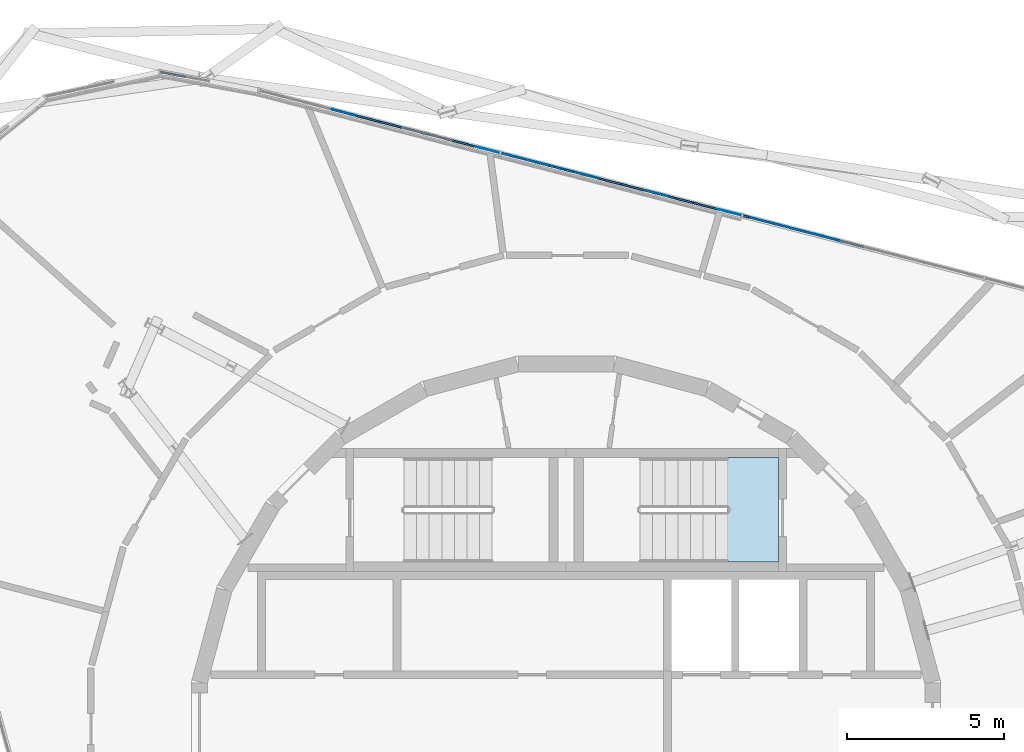
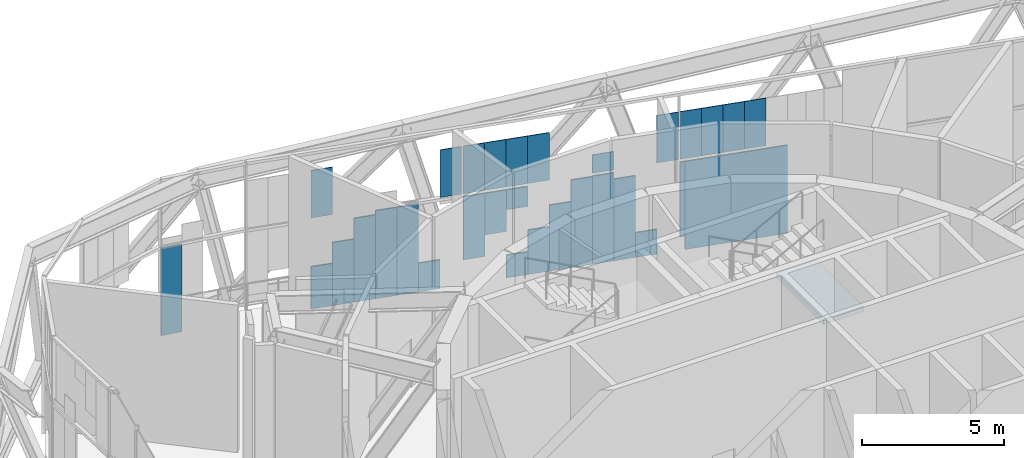
# One storey, part 13 of 23: 31 plates, 1 slab, 3 elements without a shape of their own.
"""IFC4 building model written with IfcOpenShell, lengths in metres."""

import ifcopenshell
import ifcopenshell.guid

model = None  # the IFC model being written
_history = None  # IfcOwnerHistory: only IFC2X3 demands one
_inside = {}  # id of a spatial element -> (the spatial element, [elements in it])
_under = {}  # id of a project, library or spatial element -> (it, [spatial elements below it])
_declared = {}  # id of a project -> (the project, [libraries it declares])
_typed = {}  # id of a type object -> (the type object, [elements of that type])
_made_of = {}  # id of a material, layer set ... -> (it, [elements and type objects made of it])


def new_model(schema):
    """Start an empty IFC model of exactly this schema.

    Asked for "IFC4X3", IfcOpenShell would pick the latest addendum, in which some entities
    have other attributes; the version numbers below select the first issue.
    IFC2X3 requires an IfcOwnerHistory on every rooted entity: one is made here for all.
    """
    global model, _history
    if schema == "IFC4X3":
        model = ifcopenshell.file(schema_version=(4, 3, 0, 0))
    else:
        model = ifcopenshell.file(schema=schema)
    _inside.clear()
    _under.clear()
    _declared.clear()
    _typed.clear()
    _made_of.clear()
    _history = None
    if model.schema == "IFC2X3":
        org = make("IfcOrganization", Name="unknown")
        user = make(
            "IfcPersonAndOrganization",
            ThePerson=make("IfcPerson", FamilyName="unknown"),
            TheOrganization=org,
        )
        app = make(
            "IfcApplication",
            ApplicationDeveloper=org,
            Version="unknown",
            ApplicationFullName="unknown",
            ApplicationIdentifier="unknown",
        )
        _history = make(
            "IfcOwnerHistory",
            OwningUser=user,
            OwningApplication=app,
            ChangeAction="ADDED",
            CreationDate=0,
        )
    return model


def make(cls, **values):
    """One entity of the class cls with the attributes given. An attribute that is None is left unset."""
    return model.create_entity(
        cls, **{name: value for name, value in values.items() if value is not None}
    )


def rooted(cls, **values):
    """An entity with a GlobalId (a new one), such as an element, a storey or a relation."""
    return make(cls, GlobalId=ifcopenshell.guid.new(), OwnerHistory=_history, **values)


def si_unit(unit_type, name, prefix=None):
    """IfcSIUnit, for example si_unit("LENGTHUNIT", "METRE", prefix="MILLI")."""
    return make("IfcSIUnit", UnitType=unit_type, Prefix=prefix, Name=name)


def assignment(units):
    """IfcUnitAssignment: the units of a project."""
    return None if units is None else make("IfcUnitAssignment", Units=units)


def point(xyz):
    """IfcCartesianPoint."""
    return None if xyz is None else make("IfcCartesianPoint", Coordinates=xyz)


def direction(xyz):
    """IfcDirection."""
    return None if xyz is None else make("IfcDirection", DirectionRatios=xyz)


def frame(location, z_axis=None, x_axis=None):
    """IfcAxis2Placement3D, a coordinate frame: its origin and axes. An axis left out is left unset."""
    return make(
        "IfcAxis2Placement3D",
        Location=point(location),
        Axis=direction(z_axis),
        RefDirection=direction(x_axis),
    )


def frame_2d(location, x_axis=None):
    """IfcAxis2Placement2D, a coordinate frame in the plane: its origin and x axis."""
    return make(
        "IfcAxis2Placement2D", Location=point(location), RefDirection=direction(x_axis)
    )


def origin():
    """The frame at (0, 0, 0) with its axes left unset."""
    return frame((0.0, 0.0, 0.0))


def origin_2d():
    """The frame at (0, 0) in the plane with its x axis left unset."""
    return frame_2d((0.0, 0.0))


def place(relative_to, where):
    """IfcLocalPlacement: puts the frame where relative to a parent placement (None: the world)."""
    return make(
        "IfcLocalPlacement", PlacementRelTo=relative_to, RelativePlacement=where
    )


def context(
    kind, dimensions, precision=None, world=None, true_north=None, identifier=None
):
    """IfcGeometricRepresentationContext, for example the 3D "Model" context."""
    return make(
        "IfcGeometricRepresentationContext",
        ContextIdentifier=identifier,
        ContextType=kind,
        CoordinateSpaceDimension=dimensions,
        Precision=precision,
        WorldCoordinateSystem=world,
        TrueNorth=true_north,
    )


def subcontext(parent, identifier, kind, view, scale=None):
    """IfcGeometricRepresentationSubContext, for example "Body" below "Model"."""
    return make(
        "IfcGeometricRepresentationSubContext",
        ContextIdentifier=identifier,
        ContextType=kind,
        ParentContext=parent,
        TargetScale=scale,
        TargetView=view,
    )


def project(units=None, contexts=None):
    """IfcProject with its units and contexts."""
    return rooted(
        "IfcProject",
        Name="project",
        RepresentationContexts=contexts,
        UnitsInContext=assignment(units),
    )


def spatial(cls, under=None, at=None, **own):
    """A site, building, storey or space (cls), placed at a placement, below another one or the project."""
    s = rooted(cls, ObjectPlacement=at, **own)
    if under is not None:
        _under.setdefault(under.id(), (under, []))[1].append(s)
    return s


def polyline(points):
    """IfcPolyline through the points."""
    return make("IfcPolyline", Points=[point(p) for p in points])


def profile(cls, at=None, kind="AREA", **sizes):
    """A parametric profile (cls). Its sizes go by their IFC names, for example OverallWidth=200.0."""
    return make(cls, ProfileType=kind, Position=at, **sizes)


def rectangle(**sizes):
    """IfcRectangleProfileDef."""
    return profile("IfcRectangleProfileDef", **sizes)


def outline(outer, holes=None, kind="AREA"):
    """IfcArbitraryClosedProfileDef: a profile drawn as a closed curve; with holes, ...WithVoids."""
    if holes is None:
        return make("IfcArbitraryClosedProfileDef", ProfileType=kind, OuterCurve=outer)
    return make(
        "IfcArbitraryProfileDefWithVoids",
        ProfileType=kind,
        OuterCurve=outer,
        InnerCurves=holes,
    )


def extrude(swept, where, along, depth):
    """IfcExtrudedAreaSolid: the profile swept, set in the frame where, extruded along a direction by depth."""
    return make(
        "IfcExtrudedAreaSolid",
        SweptArea=swept,
        Position=where,
        ExtrudedDirection=direction(along),
        Depth=depth,
    )


def shape(context_of_items, identifier, shape_type, items):
    """IfcShapeRepresentation: the items that make up one representation, for example the "Body"."""
    return make(
        "IfcShapeRepresentation",
        ContextOfItems=context_of_items,
        RepresentationIdentifier=identifier,
        RepresentationType=shape_type,
        Items=items,
    )


def material(Name=None, Category=None):
    """IfcMaterial."""
    return make("IfcMaterial", Name=Name, Category=Category)


def layer(
    of_material, thickness, ventilated=None, Name=None, Category=None, Priority=None
):
    """IfcMaterialLayer: one layer of a wall or slab, of a material (None: an air gap)."""
    return make(
        "IfcMaterialLayer",
        Material=of_material,
        LayerThickness=thickness,
        IsVentilated=ventilated,
        Name=Name,
        Category=Category,
        Priority=Priority,
    )


def layer_set(layers, Name=None):
    """IfcMaterialLayerSet."""
    return make("IfcMaterialLayerSet", MaterialLayers=layers, LayerSetName=Name)


def made_of(thing, what):
    """Note that an element or type object is made of a material, layer set ...; save() writes the relation."""
    if what is not None:
        _made_of.setdefault(what.id(), (what, []))[1].append(thing)
    return thing


def type_object(cls, material=None, **own):
    """A type object (cls), such as IfcWallType, which elements share."""
    return made_of(rooted(cls, **own), material)


def element(
    cls,
    number,
    at=None,
    inside=None,
    cuts=None,
    type_object=None,
    material=None,
    context=None,
    identifier="Body",
    shape_type=None,
    held_by="IfcProductDefinitionShape",
    body=None,
    shapes=None,
    **own,
):
    """One element of the class cls, such as IfcWall. Its Tag is "e" and its number.

    at: its placement. inside: the storey or other place that contains it. cuts: it is an
    opening in that element (IfcRelVoidsElement). A single representation is given by context,
    identifier, shape_type and body (its items); several are given by shapes. held_by: the class
    of the entity that holds the representations. save() writes the other relations.
    """
    e = rooted(cls, Tag="e%d" % number, ObjectPlacement=at, **own)
    if body is not None:
        shapes = [shape(context, identifier, shape_type, body)]
    if shapes is not None:
        e.Representation = make(held_by, Representations=shapes)
    if inside is not None:
        _inside.setdefault(inside.id(), (inside, []))[1].append(e)
    if cuts is not None:
        rooted(
            "IfcRelVoidsElement", RelatingBuildingElement=cuts, RelatedOpeningElement=e
        )
    if type_object is not None:
        _typed.setdefault(type_object.id(), (type_object, []))[1].append(e)
    return made_of(e, material)


def aggregate(whole, parts):
    """IfcRelAggregates: a whole, such as a stair, and the parts it consists of."""
    return rooted("IfcRelAggregates", RelatingObject=whole, RelatedObjects=parts)


def save(model, path):
    """Write the relations noted so far, then the file.

    IfcRelAggregates (storeys below a building ...), IfcRelContainedInSpatialStructure (elements
    in a storey), IfcRelDefinesByType, IfcRelAssociatesMaterial and IfcRelDeclares: one each for
    every whole, place, type object, material and project.
    """
    for whole, parts in _under.values():
        aggregate(whole, parts)
    for where, things in _inside.values():
        rooted(
            "IfcRelContainedInSpatialStructure",
            RelatedElements=things,
            RelatingStructure=where,
        )
    for kind, things in _typed.values():
        rooted("IfcRelDefinesByType", RelatedObjects=things, RelatingType=kind)
    for what, things in _made_of.values():
        rooted("IfcRelAssociatesMaterial", RelatedObjects=things, RelatingMaterial=what)
    for by, libraries in _declared.values():
        rooted("IfcRelDeclares", RelatingContext=by, RelatedDefinitions=libraries)
    model.write(path)


model = new_model("IFC4")

# Units and contexts
model_context = context("Model", 3, precision=1e-05, world=origin(), true_north=direction((0.0, 1.0)))
body_context = subcontext(model_context, "Body", "Model", "MODEL_VIEW")
ifc_project = project(units=[si_unit("LENGTHUNIT", "METRE"), si_unit("AREAUNIT", "SQUARE_METRE"), si_unit("VOLUMEUNIT", "CUBIC_METRE"), si_unit("PLANEANGLEUNIT", "RADIAN"), si_unit("MASSUNIT", "GRAM", prefix="KILO")], contexts=[model_context])

# Site, building, storey
site_placement = place(None, origin())
site = spatial("IfcSite", under=ifc_project, at=site_placement, CompositionType="ELEMENT")
building_placement = place(site_placement, origin())
building = spatial("IfcBuilding", under=site, at=building_placement, Name="Spindle Arch Residences", CompositionType="ELEMENT")
storey_placement = place(building_placement, frame((0.0, 0.0, 326.199951171875)))
storey = spatial("IfcBuildingStorey", under=building, at=storey_placement, Name="L84", CompositionType="ELEMENT", Elevation=326.199951171875)

# Stair, slab
ifc_material_1 = material(Name="Concrete C50/60", Category="concrete")
stair_type = type_object("IfcStairType", Name="Exit stair 32 risers", PredefinedType="HALF_TURN_STAIR", material=ifc_material_1)
stair_placement = place(storey_placement, origin())
stair = element("IfcStair", 1, at=stair_placement, inside=storey, type_object=stair_type, Name="L84 Exit stair ST1", PredefinedType="HALF_TURN_STAIR")
ifc_material_2 = material(Name="Concrete C50/60", Category="concrete")
ifc_layer_1 = layer(ifc_material_2, 0.219970703125)
ifc_layer_set_1 = layer_set([ifc_layer_1], Name="Exit stair landing 220")
slab_type = type_object("IfcSlabType", Name="Exit stair landing 220", PredefinedType="LANDING", material=ifc_layer_set_1)
slab_placement = place(storey_placement, frame((0.0, 0.0, 3.179931640625)))
slab = element("IfcSlab", 2, at=slab_placement, type_object=slab_type, Name="ST1 landing 2", PredefinedType="LANDING", context=body_context, shape_type="SweptSolid", body=[
    extrude(outline(polyline([(6.75, 8.669921875), (5.1298828125, 8.669921875), (5.1298828125, 5.35009765625), (6.75, 5.35009765625), (6.75, 8.669921875)])), origin(), (0.0, 0.0, 1.0), 0.22021484375),
])
aggregate(stair, [slab])

# Curtain wall, plates
ifc_material_3 = material(Name="Aluminium bronze unitised frame with tinted glass", Category="aluminium")
ifc_layer_2 = layer(ifc_material_3, 0.159912109375)
ifc_layer_set_2 = layer_set([ifc_layer_2], Name="CW-E double-height winter garden wall")
curtain_wall_type = type_object("IfcCurtainWallType", Name="CW-E double-height winter garden wall", PredefinedType="NOTDEFINED", material=ifc_layer_set_2)
curtain_wall_1_placement = place(storey_placement, origin())
curtain_wall_1 = element("IfcCurtainWall", 3, at=curtain_wall_1_placement, inside=storey, type_object=curtain_wall_type, Name="CW-E L84 run 2", PredefinedType="NOTDEFINED")
ifc_material_4 = material(Name="Tinted laminated glass 28 mm", Category="glass")
ifc_layer_3 = layer(ifc_material_4, 0.028076171875)
ifc_layer_set_3 = layer_set([ifc_layer_3], Name="Tinted glass panel 28 mm")
plate_type_1 = type_object("IfcPlateType", Name="Tinted glass panel 28 mm", PredefinedType="CURTAIN_PANEL", material=ifc_layer_set_3)
plate_1_placement = place(storey_placement, frame((8.295654296875, 15.66650390625, 3.460205078125), z_axis=(0.0, 0.0, 1.0), x_axis=(-0.968147640378, 0.250380004054, 0.0)))
plate_1 = element("IfcPlate", 4, at=plate_1_placement, type_object=plate_type_1, Name="CW-E panel 05Bb.2", PredefinedType="CURTAIN_PANEL", context=body_context, shape_type="SweptSolid", body=[
    extrude(rectangle(XDim=0.78759765625, YDim=0.028076171875, at=origin_2d()), origin(), (0.0, 0.0, 1.0), 2.0458984375),
])
plate_2_placement = place(storey_placement, frame((7.533203125, 15.86376953125, 3.460205078125), z_axis=(0.0, 0.0, 1.0), x_axis=(-0.968147640378, 0.250380004054, 0.0)))
plate_2 = element("IfcPlate", 5, at=plate_2_placement, type_object=plate_type_1, Name="CW-E panel 05Bb.3", PredefinedType="CURTAIN_PANEL", context=body_context, shape_type="SweptSolid", body=[
    extrude(rectangle(XDim=0.78759765625, YDim=0.028076171875, at=origin_2d()), origin(), (0.0, 0.0, 1.0), 2.0458984375),
])
plate_3_placement = place(storey_placement, frame((6.770751953125, 16.06103515625, 3.460205078125), z_axis=(0.0, 0.0, 1.0), x_axis=(-0.968147640378, 0.250380004054, 0.0)))
plate_3 = element("IfcPlate", 6, at=plate_3_placement, type_object=plate_type_1, Name="CW-E panel 05Bb.4", PredefinedType="CURTAIN_PANEL", context=body_context, shape_type="SweptSolid", body=[
    extrude(rectangle(XDim=0.78759765625, YDim=0.028076171875, at=origin_2d()), origin(), (0.0, 0.0, 1.0), 2.0458984375),
])
plate_4_placement = place(storey_placement, frame((6.00830078125, 16.258056640625, 3.460205078125), z_axis=(0.0, 0.0, 1.0), x_axis=(-0.968147640378, 0.250380004054, 0.0)))
plate_4 = element("IfcPlate", 7, at=plate_4_placement, type_object=plate_type_1, Name="CW-E panel 05Bb.5", PredefinedType="CURTAIN_PANEL", context=body_context, shape_type="SweptSolid", body=[
    extrude(rectangle(XDim=0.78759765625, YDim=0.028076171875, at=origin_2d()), origin(), (0.0, 0.0, 1.0), 2.0458984375),
])
plate_5_placement = place(storey_placement, frame((5.187744140625, 16.47021484375, 3.460205078125), z_axis=(0.0, 0.0, 1.0), x_axis=(-0.968147640378, 0.250380004054, 0.0)))
plate_5 = element("IfcPlate", 8, at=plate_5_placement, type_object=plate_type_1, Name="CW-E panel 06Ab.1", PredefinedType="CURTAIN_PANEL", context=body_context, shape_type="SweptSolid", body=[
    extrude(rectangle(XDim=0.78759765625, YDim=0.028076171875, at=origin_2d()), origin(), (0.0, 0.0, 1.0), 2.0458984375),
])
plate_6_placement = place(storey_placement, frame((2.900634765625, 17.061767578125, 3.4599609375), z_axis=(0.0, 0.0, 1.0), x_axis=(-0.968147640378, 0.250380004054, 0.0)))
plate_6 = element("IfcPlate", 9, at=plate_6_placement, type_object=plate_type_1, Name="CW-E panel 06Ab.2", PredefinedType="CURTAIN_PANEL", context=body_context, shape_type="SweptSolid", body=[
    extrude(rectangle(XDim=0.78759765625, YDim=0.028076171875, at=origin_2d()), origin(), (0.0, 0.0, 1.0), 0.791015625),
])
plate_7_placement = place(storey_placement, frame((0.61328125, 17.6533203125, 3.460205078125), z_axis=(0.0, 0.0, 1.0), x_axis=(-0.968147640378, 0.250380004054, 0.0)))
plate_7 = element("IfcPlate", 10, at=plate_7_placement, type_object=plate_type_1, Name="CW-E panel 06Bb.1", PredefinedType="CURTAIN_PANEL", context=body_context, shape_type="SweptSolid", body=[
    extrude(rectangle(XDim=0.78759765625, YDim=0.028076171875, at=origin_2d()), origin(), (0.0, 0.0, 1.0), 2.0458984375),
])
plate_8_placement = place(storey_placement, frame((-0.149169921875, 17.8505859375, 3.460205078125), z_axis=(0.0, 0.0, 1.0), x_axis=(-0.968147640378, 0.250380004054, 0.0)))
plate_8 = element("IfcPlate", 11, at=plate_8_placement, type_object=plate_type_1, Name="CW-E panel 06Bb.2", PredefinedType="CURTAIN_PANEL", context=body_context, shape_type="SweptSolid", body=[
    extrude(rectangle(XDim=0.78759765625, YDim=0.028076171875, at=origin_2d()), origin(), (0.0, 0.0, 1.0), 2.0458984375),
])
plate_9_placement = place(storey_placement, frame((-0.91162109375, 18.047607421875, 3.460205078125), z_axis=(0.0, 0.0, 1.0), x_axis=(-0.968147640378, 0.250380004054, 0.0)))
plate_9 = element("IfcPlate", 12, at=plate_9_placement, type_object=plate_type_1, Name="CW-E panel 06Bb.3", PredefinedType="CURTAIN_PANEL", context=body_context, shape_type="SweptSolid", body=[
    extrude(rectangle(XDim=0.78759765625, YDim=0.028076171875, at=origin_2d()), origin(), (0.0, 0.0, 1.0), 2.0458984375),
])
plate_10_placement = place(storey_placement, frame((-1.674072265625, 18.244873046875, 3.460205078125), z_axis=(0.0, 0.0, 1.0), x_axis=(-0.968147640378, 0.250380004054, 0.0)))
plate_10 = element("IfcPlate", 13, at=plate_10_placement, type_object=plate_type_1, Name="CW-E panel 06Bb.4", PredefinedType="CURTAIN_PANEL", context=body_context, shape_type="SweptSolid", body=[
    extrude(rectangle(XDim=0.78759765625, YDim=0.028076171875, at=origin_2d()), origin(), (0.0, 0.0, 1.0), 2.0458984375),
])
plate_11_placement = place(storey_placement, frame((-2.494384765625, 18.45703125, 3.460205078125), z_axis=(0.0, 0.0, 1.0), x_axis=(-0.968147640378, 0.250380004054, 0.0)))
plate_11 = element("IfcPlate", 14, at=plate_11_placement, type_object=plate_type_1, Name="CW-E panel 07Ab.1", PredefinedType="CURTAIN_PANEL", context=body_context, shape_type="SweptSolid", body=[
    extrude(rectangle(XDim=0.78759765625, YDim=0.028076171875, at=origin_2d()), origin(), (0.0, 0.0, 1.0), 2.0458984375),
])
plate_12_placement = place(storey_placement, frame((-7.069091796875, 19.64013671875, 3.460205078125), z_axis=(0.0, 0.0, 1.0), x_axis=(-0.968147640378, 0.250380004054, 0.0)))
plate_12 = element("IfcPlate", 15, at=plate_12_placement, type_object=plate_type_1, Name="CW-E panel 07Bb.1", PredefinedType="CURTAIN_PANEL", context=body_context, shape_type="SweptSolid", body=[
    extrude(rectangle(XDim=0.78759765625, YDim=0.028076171875, at=origin_2d()), origin(), (0.0, 0.0, 1.0), 2.0458984375),
])
ifc_material_5 = material(Name="Tinted double glazing over aluminium faced non-combustible spandrel zone (K0)", Category="aluminium")
ifc_layer_4 = layer(ifc_material_5, 0.06005859375)
ifc_layer_set_4 = layer_set([ifc_layer_4], Name="Unitised glass panel with E 60 spandrel zone")
plate_type_2 = type_object("IfcPlateType", Name="Unitised glass panel with E 60 spandrel zone", PredefinedType="CURTAIN_PANEL", material=ifc_layer_set_4)
plate_13_placement = place(storey_placement, frame((7.623291015625, 15.840576171875, -0.449951171875), z_axis=(0.0, 0.0, 1.0), x_axis=(-0.968147640378, 0.250380004054, 0.0)))
plate_13 = element("IfcPlate", 16, at=plate_13_placement, type_object=plate_type_2, Name="CW-E panel 05Ba.1", PredefinedType="CURTAIN_PANEL", context=body_context, shape_type="SweptSolid", body=[
    extrude(rectangle(XDim=3.75146484375, YDim=0.06005859375, at=origin_2d()), origin(), (0.0, 0.0, 1.0), 3.7900390625),
])
plate_14_placement = place(storey_placement, frame((5.71728515625, 16.33349609375, 0.13037109375), z_axis=(0.0, 0.0, 1.0), x_axis=(-0.968147640378, 0.250380004054, 0.0)))
plate_14 = element("IfcPlate", 17, at=plate_14_placement, type_object=plate_type_2, Name="CW-E panel 05Ba.2", PredefinedType="CURTAIN_PANEL", context=body_context, shape_type="SweptSolid", body=[
    extrude(rectangle(XDim=0.18603515625, YDim=0.06005859375, at=origin_2d()), origin(), (0.0, 0.0, 1.0), 3.209716796875),
])
plate_15_placement = place(storey_placement, frame((4.425537109375, 16.66748046875, -0.44970703125), z_axis=(0.0, 0.0, 1.0), x_axis=(-0.968147640378, 0.250380004054, 0.0)))
plate_15 = element("IfcPlate", 18, at=plate_15_placement, type_object=plate_type_2, Name="CW-E panel 06Aa.2", PredefinedType="CURTAIN_PANEL", context=body_context, shape_type="SweptSolid", body=[
    extrude(rectangle(XDim=0.78759765625, YDim=0.06005859375, at=origin_2d()), origin(), (0.0, 0.0, 1.0), 1.061767578125),
])
plate_16_placement = place(storey_placement, frame((3.6630859375, 16.86474609375, -0.4501953125), z_axis=(0.0, 0.0, 1.0), x_axis=(-0.968147640378, 0.250380004054, 0.0)))
plate_16 = element("IfcPlate", 19, at=plate_16_placement, type_object=plate_type_2, Name="CW-E panel 06Aa.3", PredefinedType="CURTAIN_PANEL", context=body_context, shape_type="SweptSolid", body=[
    extrude(rectangle(XDim=0.78759765625, YDim=0.06005859375, at=origin_2d()), origin(), (0.0, 0.0, 1.0), 3.517822265625),
])
plate_17_placement = place(storey_placement, frame((2.900634765625, 17.061767578125, -0.449951171875), z_axis=(0.0, 0.0, 1.0), x_axis=(-0.968147640378, 0.250380004054, 0.0)))
plate_17 = element("IfcPlate", 20, at=plate_17_placement, type_object=plate_type_2, Name="CW-E panel 06Aa.4", PredefinedType="CURTAIN_PANEL", context=body_context, shape_type="SweptSolid", body=[
    extrude(rectangle(XDim=0.78759765625, YDim=0.06005859375, at=origin_2d()), origin(), (0.0, 0.0, 1.0), 3.7900390625),
])
plate_18_placement = place(storey_placement, frame((2.13818359375, 17.259033203125, -0.449951171875), z_axis=(0.0, 0.0, 1.0), x_axis=(-0.968147640378, 0.250380004054, 0.0)))
plate_18 = element("IfcPlate", 21, at=plate_18_placement, type_object=plate_type_2, Name="CW-E panel 06Aa.5", PredefinedType="CURTAIN_PANEL", context=body_context, shape_type="SweptSolid", body=[
    extrude(rectangle(XDim=0.78759765625, YDim=0.06005859375, at=origin_2d()), origin(), (0.0, 0.0, 1.0), 3.7705078125),
])
plate_19_placement = place(storey_placement, frame((1.375732421875, 17.456298828125, -0.449951171875), z_axis=(0.0, 0.0, 1.0), x_axis=(-0.968147640378, 0.250380004054, 0.0)))
plate_19 = element("IfcPlate", 22, at=plate_19_placement, type_object=plate_type_2, Name="CW-E panel 06Ba.1", PredefinedType="CURTAIN_PANEL", context=body_context, shape_type="SweptSolid", body=[
    extrude(rectangle(XDim=0.78759765625, YDim=0.06005859375, at=origin_2d()), origin(), (0.0, 0.0, 1.0), 2.83984375),
])
plate_20_placement = place(storey_placement, frame((0.61328125, 17.6533203125, -0.4501953125), z_axis=(0.0, 0.0, 1.0), x_axis=(-0.968147640378, 0.250380004054, 0.0)))
plate_20 = element("IfcPlate", 23, at=plate_20_placement, type_object=plate_type_2, Name="CW-E panel 06Ba.2", PredefinedType="CURTAIN_PANEL", context=body_context, shape_type="SweptSolid", body=[
    extrude(rectangle(XDim=0.78759765625, YDim=0.06005859375, at=origin_2d()), origin(), (0.0, 0.0, 1.0), 1.909423828125),
])
plate_21_placement = place(storey_placement, frame((-0.149169921875, 17.8505859375, -0.44970703125), z_axis=(0.0, 0.0, 1.0), x_axis=(-0.968147640378, 0.250380004054, 0.0)))
plate_21 = element("IfcPlate", 24, at=plate_21_placement, type_object=plate_type_2, Name="CW-E panel 06Ba.3", PredefinedType="CURTAIN_PANEL", context=body_context, shape_type="SweptSolid", body=[
    extrude(rectangle(XDim=0.78759765625, YDim=0.06005859375, at=origin_2d()), origin(), (0.0, 0.0, 1.0), 0.978759765625),
])
plate_22_placement = place(storey_placement, frame((-0.149169921875, 17.8505859375, 2.481201171875), z_axis=(0.0, 0.0, 1.0), x_axis=(-0.968147640378, 0.250380004054, 0.0)))
plate_22 = element("IfcPlate", 25, at=plate_22_placement, type_object=plate_type_2, Name="CW-E panel 06Ba.4", PredefinedType="CURTAIN_PANEL", context=body_context, shape_type="SweptSolid", body=[
    extrude(rectangle(XDim=0.78759765625, YDim=0.06005859375, at=origin_2d()), origin(), (0.0, 0.0, 1.0), 0.85888671875),
])
plate_23_placement = place(storey_placement, frame((-0.91162109375, 18.047607421875, 1.550537109375), z_axis=(0.0, 0.0, 1.0), x_axis=(-0.968147640378, 0.250380004054, 0.0)))
plate_23 = element("IfcPlate", 26, at=plate_23_placement, type_object=plate_type_2, Name="CW-E panel 06Ba.5", PredefinedType="CURTAIN_PANEL", context=body_context, shape_type="SweptSolid", body=[
    extrude(rectangle(XDim=0.78759765625, YDim=0.06005859375, at=origin_2d()), origin(), (0.0, 0.0, 1.0), 1.78955078125),
])
plate_24_placement = place(storey_placement, frame((-1.674072265625, 18.244873046875, 0.619873046875), z_axis=(0.0, 0.0, 1.0), x_axis=(-0.968147640378, 0.250380004054, 0.0)))
plate_24 = element("IfcPlate", 27, at=plate_24_placement, type_object=plate_type_2, Name="CW-E panel 06Ba.6", PredefinedType="CURTAIN_PANEL", context=body_context, shape_type="SweptSolid", body=[
    extrude(rectangle(XDim=0.78759765625, YDim=0.06005859375, at=origin_2d()), origin(), (0.0, 0.0, 1.0), 2.72021484375),
])
plate_25_placement = place(storey_placement, frame((-3.2568359375, 18.654296875, -0.449951171875), z_axis=(0.0, 0.0, 1.0), x_axis=(-0.968147640378, 0.250380004054, 0.0)))
plate_25 = element("IfcPlate", 28, at=plate_25_placement, type_object=plate_type_2, Name="CW-E panel 07Aa.2", PredefinedType="CURTAIN_PANEL", context=body_context, shape_type="SweptSolid", body=[
    extrude(rectangle(XDim=0.78759765625, YDim=0.06005859375, at=origin_2d()), origin(), (0.0, 0.0, 1.0), 1.23681640625),
])
plate_26_placement = place(storey_placement, frame((-4.019287109375, 18.8515625, -0.449951171875), z_axis=(0.0, 0.0, 1.0), x_axis=(-0.968147640378, 0.250380004054, 0.0)))
plate_26 = element("IfcPlate", 29, at=plate_26_placement, type_object=plate_type_2, Name="CW-E panel 07Aa.3", PredefinedType="CURTAIN_PANEL", context=body_context, shape_type="SweptSolid", body=[
    extrude(rectangle(XDim=0.78759765625, YDim=0.06005859375, at=origin_2d()), origin(), (0.0, 0.0, 1.0), 3.7900390625),
])
plate_27_placement = place(storey_placement, frame((-4.78173828125, 19.048583984375, -0.449951171875), z_axis=(0.0, 0.0, 1.0), x_axis=(-0.968147640378, 0.250380004054, 0.0)))
plate_27 = element("IfcPlate", 30, at=plate_27_placement, type_object=plate_type_2, Name="CW-E panel 07Aa.4", PredefinedType="CURTAIN_PANEL", context=body_context, shape_type="SweptSolid", body=[
    extrude(rectangle(XDim=0.78759765625, YDim=0.06005859375, at=origin_2d()), origin(), (0.0, 0.0, 1.0), 3.7900390625),
])
plate_28_placement = place(storey_placement, frame((-5.544189453125, 19.245849609375, -0.4501953125), z_axis=(0.0, 0.0, 1.0), x_axis=(-0.968147640378, 0.250380004054, 0.0)))
plate_28 = element("IfcPlate", 31, at=plate_28_placement, type_object=plate_type_2, Name="CW-E panel 07Aa.5", PredefinedType="CURTAIN_PANEL", context=body_context, shape_type="SweptSolid", body=[
    extrude(rectangle(XDim=0.78759765625, YDim=0.06005859375, at=origin_2d()), origin(), (0.0, 0.0, 1.0), 3.609130859375),
])
plate_29_placement = place(storey_placement, frame((-6.306640625, 19.44287109375, -0.44970703125), z_axis=(0.0, 0.0, 1.0), x_axis=(-0.968147640378, 0.250380004054, 0.0)))
plate_29 = element("IfcPlate", 32, at=plate_29_placement, type_object=plate_type_2, Name="CW-E panel 07Ba.1", PredefinedType="CURTAIN_PANEL", context=body_context, shape_type="SweptSolid", body=[
    extrude(rectangle(XDim=0.78759765625, YDim=0.06005859375, at=origin_2d()), origin(), (0.0, 0.0, 1.0), 2.712646484375),
])
plate_30_placement = place(storey_placement, frame((-7.069091796875, 19.64013671875, -0.449951171875), z_axis=(0.0, 0.0, 1.0), x_axis=(-0.968147640378, 0.250380004054, 0.0)))
plate_30 = element("IfcPlate", 33, at=plate_30_placement, type_object=plate_type_2, Name="CW-E panel 07Ba.2", PredefinedType="CURTAIN_PANEL", context=body_context, shape_type="SweptSolid", body=[
    extrude(rectangle(XDim=0.78759765625, YDim=0.06005859375, at=origin_2d()), origin(), (0.0, 0.0, 1.0), 1.81640625),
])
aggregate(curtain_wall_1, [plate_13, plate_14, plate_1, plate_2, plate_3, plate_4, plate_15, plate_16, plate_17, plate_18, plate_5, plate_6, plate_19, plate_20, plate_21, plate_22, plate_23, plate_24, plate_7, plate_8, plate_9, plate_10, plate_25, plate_26, plate_27, plate_28, plate_11, plate_29, plate_30, plate_12])

# Curtain wall, plate
curtain_wall_2_placement = place(storey_placement, origin())
curtain_wall_2 = element("IfcCurtainWall", 34, at=curtain_wall_2_placement, inside=storey, type_object=curtain_wall_type, Name="CW-E L84 run 3", PredefinedType="NOTDEFINED")
plate_31_placement = place(storey_placement, frame((-12.493896484375, 20.847900390625, -0.419921875), z_axis=(0.0, 0.0, 1.0), x_axis=(-0.98295670176, 0.183837217301, 0.0)))
plate_31 = element("IfcPlate", 35, at=plate_31_placement, type_object=plate_type_2, Name="CW-E panel 00a.2", PredefinedType="CURTAIN_PANEL", context=body_context, shape_type="SweptSolid", body=[
    extrude(rectangle(XDim=0.7841796875, YDim=0.06005859375, at=origin_2d()), origin(), (0.0, 0.0, 1.0), 3.760009765625),
])
aggregate(curtain_wall_2, [plate_31])

save(model, "model.ifc")
